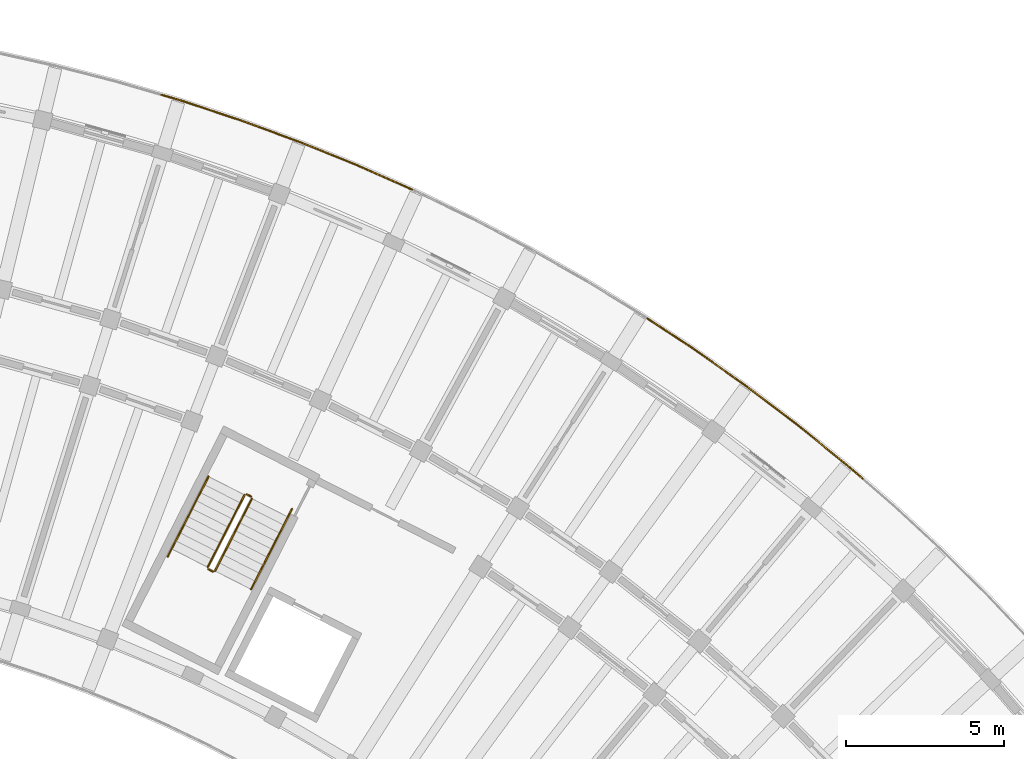
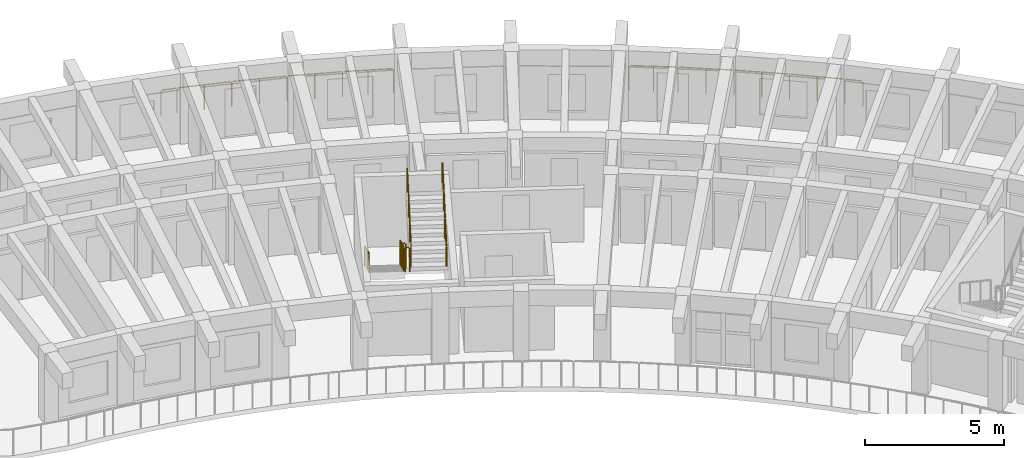
# One storey, part 80 of 81: 12 railings.
"""IFC4 building model written with IfcOpenShell, lengths in metres."""

from ifc_helpers import new_model, si_unit, direction, frame, origin, origin_2d, place, context, subcontext, project, spatial, circle, extrude, material, type_object, element, save


model = new_model("IFC4")

# Units and contexts
model_context = context("Model", 3, precision=1e-05, world=origin(), true_north=direction((0.0, 1.0)))
body_context = subcontext(model_context, "Body", "Model", "MODEL_VIEW")
ifc_project = project(units=[si_unit("LENGTHUNIT", "METRE"), si_unit("AREAUNIT", "SQUARE_METRE"), si_unit("VOLUMEUNIT", "CUBIC_METRE"), si_unit("PLANEANGLEUNIT", "RADIAN"), si_unit("MASSUNIT", "GRAM", prefix="KILO")], contexts=[model_context])

# Site, building, storey
site_placement = place(None, origin())
site = spatial("IfcSite", under=ifc_project, at=site_placement, CompositionType="ELEMENT")
building_placement = place(site_placement, origin())
building = spatial("IfcBuilding", under=site, at=building_placement, Name="Tanwirah Colonnade Gardens", CompositionType="ELEMENT")
storey_placement = place(building_placement, frame((0.0, 0.0, 8.840087890625)))
storey = spatial("IfcBuildingStorey", under=building, at=storey_placement, Name="L02", CompositionType="ELEMENT", Elevation=8.840087890625)

# Railings
ifc_material_1 = material(Name="Precast concrete C40/50", Category="concrete")
railing_type_1 = type_object("IfcRailingType", Name="BAL-EXT112", PredefinedType="BALUSTRADE", material=ifc_material_1)
railing_1_placement = place(storey_placement, frame((138.708984375, 118.89990234375, 0.0)))
element("IfcRailing", 1, at=railing_1_placement, inside=storey, type_object=railing_type_1, Name="Block B L02 Balcony Ribbon Balustrade 12", PredefinedType="BALUSTRADE", context=body_context, shape_type="SweptSolid", body=[
    extrude(circle(Radius=0.02392578125, at=origin_2d()), frame((0.030029296875, -0.0087890625, 1.09619140625), z_axis=(0.959445381797, -0.281894589072, 0.0), x_axis=(0.281894589072, 0.959445381797, 0.0)), (0.0, 0.0, 1.0), 0.521240234375),
    extrude(circle(Radius=0.02392578125, at=origin_2d()), frame((0.58984375, -0.17431640625, 1.09619140625), z_axis=(0.949537316482, -0.313654084317, 0.0), x_axis=(0.313654084317, 0.949537316482, 0.0)), (0.0, 0.0, 1.0), 1.958984375),
    extrude(circle(Radius=0.02392578125, at=origin_2d()), frame((2.5087890625, -0.809326171875, 1.09619140625), z_axis=(0.938723993457, -0.344669789956, 0.0), x_axis=(0.344669789956, 0.938723993457, 0.0)), (0.0, 0.0, 1.0), 1.958984375),
    extrude(circle(Radius=0.02392578125, at=origin_2d()), frame((4.40625, -1.507080078125, 1.09619140625), z_axis=(0.926784720453, -0.375592973757, 0.0), x_axis=(0.375592973757, 0.926784720453, 0.0)), (0.0, 0.0, 1.0), 1.958984375),
    extrude(circle(Radius=0.02392578125, at=origin_2d()), frame((6.279296875, -2.267333984375, 1.09619140625), z_axis=(0.913952853369, -0.405820381227, 0.0), x_axis=(0.405820381227, 0.913952853369, 0.0)), (0.0, 0.0, 1.0), 1.789306640625),
    extrude(circle(Radius=0.02099609375, at=origin_2d()), origin(), (0.0, 0.0, 1.0), 1.069091796875),
    extrude(circle(Radius=0.02099609375, at=origin_2d()), frame((0.56005859375, -0.16455078125, 0.0)), (0.0, 0.0, 1.0), 1.069091796875),
    extrude(circle(Radius=0.02099609375, at=origin_2d()), frame((1.519775390625, -0.4814453125, 0.0)), (0.0, 0.0, 1.0), 1.069091796875),
    extrude(circle(Radius=0.02099609375, at=origin_2d()), frame((2.4794921875, -0.798583984375, 0.0)), (0.0, 0.0, 1.0), 1.069091796875),
    extrude(circle(Radius=0.02099609375, at=origin_2d()), frame((3.42822265625, -1.14697265625, 0.0)), (0.0, 0.0, 1.0), 1.069091796875),
    extrude(circle(Radius=0.02099609375, at=origin_2d()), frame((4.377197265625, -1.495361328125, 0.0)), (0.0, 0.0, 1.0), 1.069091796875),
    extrude(circle(Radius=0.02099609375, at=origin_2d()), frame((5.31396484375, -1.875, 0.0)), (0.0, 0.0, 1.0), 1.069091796875),
    extrude(circle(Radius=0.02099609375, at=origin_2d()), frame((6.250732421875, -2.254638671875, 0.0)), (0.0, 0.0, 1.0), 1.069091796875),
    extrude(circle(Radius=0.02099609375, at=origin_2d()), frame((7.096923828125, -2.63037109375, 0.0)), (0.0, 0.0, 1.0), 1.069091796875),
    extrude(circle(Radius=0.02099609375, at=origin_2d()), frame((7.943115234375, -3.006103515625, 0.0)), (0.0, 0.0, 1.0), 1.069091796875),
])
railing_2_placement = place(storey_placement, frame((154.10107421875, 111.814208984375, 0.0)))
element("IfcRailing", 2, at=railing_2_placement, inside=storey, type_object=railing_type_1, Name="Block B L02 Balcony Ribbon Balustrade 14", PredefinedType="BALUSTRADE", context=body_context, shape_type="SweptSolid", body=[
    extrude(circle(Radius=0.02392578125, at=origin_2d()), frame((0.026123046875, -0.01708984375, 1.09619140625), z_axis=(0.834955335446, -0.550317715334, 0.0), x_axis=(0.550317715334, 0.834955335446, 0.0)), (0.0, 0.0, 1.0), 1.714599609375),
    extrude(circle(Radius=0.02392578125, at=origin_2d()), frame((1.509521484375, -0.99609375, 1.09619140625), z_axis=(0.816344803849, -0.577564854565, 0.0), x_axis=(0.577564854565, 0.816344803849, 0.0)), (0.0, 0.0, 1.0), 1.958740234375),
    extrude(circle(Radius=0.02392578125, at=origin_2d()), frame((3.158935546875, -2.164306640625, 1.09619140625), z_axis=(0.796887753746, -0.604127393792, 0.0), x_axis=(0.604127393792, 0.796887753746, 0.0)), (0.0, 0.0, 1.0), 1.958984375),
    extrude(circle(Radius=0.02392578125, at=origin_2d()), frame((4.76904296875, -3.386474609375, 1.09619140625), z_axis=(0.776549722569, -0.630055972417, 0.0), x_axis=(0.630055972417, 0.776549722569, 0.0)), (0.0, 0.0, 1.0), 1.958984375),
    extrude(circle(Radius=0.02392578125, at=origin_2d()), frame((6.33837890625, -4.660888671875, 1.09619140625), z_axis=(0.755371030703, -0.65529734165, 0.0), x_axis=(0.65529734165, 0.755371030703, 0.0)), (0.0, 0.0, 1.0), 0.59619140625),
    extrude(circle(Radius=0.02099609375, at=origin_2d()), origin(), (0.0, 0.0, 1.0), 1.069091796875),
    extrude(circle(Radius=0.02099609375, at=origin_2d()), frame((0.741943359375, -0.489013671875, 0.0)), (0.0, 0.0, 1.0), 1.069091796875),
    extrude(circle(Radius=0.02099609375, at=origin_2d()), frame((1.48388671875, -0.97802734375, 0.0)), (0.0, 0.0, 1.0), 1.069091796875),
    extrude(circle(Radius=0.02099609375, at=origin_2d()), frame((2.30908203125, -1.561767578125, 0.0)), (0.0, 0.0, 1.0), 1.069091796875),
    extrude(circle(Radius=0.02099609375, at=origin_2d()), frame((3.134033203125, -2.1455078125, 0.0)), (0.0, 0.0, 1.0), 1.069091796875),
    extrude(circle(Radius=0.02099609375, at=origin_2d()), frame((3.939453125, -2.756103515625, 0.0)), (0.0, 0.0, 1.0), 1.069091796875),
    extrude(circle(Radius=0.02099609375, at=origin_2d()), frame((4.744873046875, -3.36669921875, 0.0)), (0.0, 0.0, 1.0), 1.069091796875),
    extrude(circle(Radius=0.02099609375, at=origin_2d()), frame((5.52978515625, -4.00341796875, 0.0)), (0.0, 0.0, 1.0), 1.069091796875),
    extrude(circle(Radius=0.02099609375, at=origin_2d()), frame((6.314697265625, -4.640380859375, 0.0)), (0.0, 0.0, 1.0), 1.069091796875),
    extrude(circle(Radius=0.02099609375, at=origin_2d()), frame((6.812255859375, -5.072021484375, 0.0)), (0.0, 0.0, 1.0), 1.069091796875),
])
ifc_material_2 = material(Name="Powder-coated galvanized steel", Category="steel")
railing_type_2 = type_object("IfcRailingType", Name="GRD-ST110", PredefinedType="GUARDRAIL", material=ifc_material_2)
railing_3_placement = place(storey_placement, frame((141.344970703125, 106.230712890625, 0.16796875)))
element("IfcRailing", 3, at=railing_3_placement, inside=storey, type_object=railing_type_2, Name="L02 ST-B2 stair guard 1", PredefinedType="GUARDRAIL", context=body_context, shape_type="SweptSolid", body=[
    extrude(circle(Radius=0.02392578125, at=origin_2d()), frame((-0.01220703125, -0.02392578125, 1.092041015625), z_axis=(-0.3911222872, -0.767567239095, 0.507803003067), x_axis=(0.890993730975, -0.45401560696, 0.0)), (0.0, 0.0, 1.0), 2.9150390625),
    extrude(circle(Radius=0.02099609375, at=origin_2d()), origin(), (0.0, 0.0, 1.0), 1.049072265625),
    extrude(circle(Radius=0.02099609375, at=origin_2d()), frame((-0.38818359375, -0.76171875, 0.50390625)), (0.0, 0.0, 1.0), 1.049072265625),
    extrude(circle(Radius=0.02099609375, at=origin_2d()), frame((-0.7763671875, -1.523681640625, 1.008056640625)), (0.0, 0.0, 1.0), 1.049072265625),
    extrude(circle(Radius=0.02099609375, at=origin_2d()), frame((-1.16455078125, -2.285400390625, 1.511962890625)), (0.0, 0.0, 1.0), 1.049072265625),
])
railing_4_placement = place(storey_placement, frame((140.202392578125, 103.8779296875, 1.679931640625)))
element("IfcRailing", 4, at=railing_4_placement, inside=storey, type_object=railing_type_2, Name="L02 ST-B2 stair guard 2", PredefinedType="GUARDRAIL", context=body_context, shape_type="SweptSolid", body=[
    extrude(circle(Radius=0.02392578125, at=origin_2d()), frame((0.02783203125, -0.01416015625, 1.076171875), z_axis=(0.891353773095, -0.453308340084, 0.0), x_axis=(0.453308340084, 0.891353773095, 0.0)), (0.0, 0.0, 1.0), 0.097412109375),
    extrude(circle(Radius=0.02099609375, at=origin_2d()), origin(), (0.0, 0.0, 1.0), 1.049072265625),
    extrude(circle(Radius=0.02099609375, at=origin_2d()), frame((0.142578125, -0.072509765625, 0.0)), (0.0, 0.0, 1.0), 1.049072265625),
])
railing_5_placement = place(storey_placement, frame((140.412109375, 103.8271484375, 1.847900390625)))
element("IfcRailing", 5, at=railing_5_placement, inside=storey, type_object=railing_type_2, Name="L02 ST-B2 stair guard 3", PredefinedType="GUARDRAIL", context=body_context, shape_type="SweptSolid", body=[
    extrude(circle(Radius=0.02392578125, at=origin_2d()), frame((0.01220703125, 0.02392578125, 1.092041015625), z_axis=(0.3911222872, 0.767567239095, 0.507803003067), x_axis=(-0.890993730975, 0.45401560696, 0.0)), (0.0, 0.0, 1.0), 2.9150390625),
    extrude(circle(Radius=0.02099609375, at=origin_2d()), origin(), (0.0, 0.0, 1.0), 1.049072265625),
    extrude(circle(Radius=0.02099609375, at=origin_2d()), frame((0.38818359375, 0.76171875, 0.50390625)), (0.0, 0.0, 1.0), 1.049072265625),
    extrude(circle(Radius=0.02099609375, at=origin_2d()), frame((0.7763671875, 1.523681640625, 1.008056640625)), (0.0, 0.0, 1.0), 1.049072265625),
    extrude(circle(Radius=0.02099609375, at=origin_2d()), frame((1.16455078125, 2.285400390625, 1.511962890625)), (0.0, 0.0, 1.0), 1.049072265625),
])
railing_6_placement = place(storey_placement, frame((141.412109375, 106.25244140625, 0.0)))
element("IfcRailing", 6, at=railing_6_placement, inside=storey, type_object=railing_type_2, Name="L02 ST-B2 stair guard 4", PredefinedType="GUARDRAIL", context=body_context, shape_type="SweptSolid", body=[
    extrude(circle(Radius=0.02392578125, at=origin_2d()), frame((0.02783203125, -0.01416015625, 1.076171875), z_axis=(0.891353773095, -0.453308340084, 0.0), x_axis=(0.453308340084, 0.891353773095, 0.0)), (0.0, 0.0, 1.0), 0.097412109375),
    extrude(circle(Radius=0.02099609375, at=origin_2d()), origin(), (0.0, 0.0, 1.0), 1.049072265625),
    extrude(circle(Radius=0.02099609375, at=origin_2d()), frame((0.142578125, -0.072509765625, 0.0)), (0.0, 0.0, 1.0), 1.049072265625),
])
ifc_material_3 = material(Name="Brushed bronze stainless steel", Category="steel")
railing_type_3 = type_object("IfcRailingType", Name="HR-ST090", PredefinedType="HANDRAIL", material=ifc_material_3)
railing_7_placement = place(storey_placement, frame((140.204345703125, 106.811767578125, 0.16796875)))
element("IfcRailing", 7, at=railing_7_placement, inside=storey, type_object=railing_type_3, Name="L02 ST-B2 stair handrail 1", PredefinedType="HANDRAIL", context=body_context, shape_type="SweptSolid", body=[
    extrude(circle(Radius=0.02392578125, at=origin_2d()), frame((-0.01220703125, -0.02392578125, 0.891845703125), z_axis=(-0.38993033558, -0.765508761867, 0.511811165275), x_axis=(0.891061070925, -0.453883429839, 0.0)), (0.0, 0.0, 1.0), 1.043212890625),
    extrude(circle(Radius=0.02099609375, at=origin_2d()), origin(), (0.0, 0.0, 1.0), 0.848876953125),
    extrude(circle(Radius=0.02099609375, at=origin_2d()), frame((-0.43115234375, -0.846435546875, 0.56591796875)), (0.0, 0.0, 1.0), 0.848876953125),
])
railing_8_placement = place(storey_placement, frame((139.773193359375, 105.96533203125, 0.73388671875)))
element("IfcRailing", 8, at=railing_8_placement, inside=storey, type_object=railing_type_3, Name="L02 ST-B2 stair handrail 2", PredefinedType="HANDRAIL", context=body_context, shape_type="SweptSolid", body=[
    extrude(circle(Radius=0.02392578125, at=origin_2d()), frame((-0.01220703125, -0.02392578125, 0.891845703125), z_axis=(-0.390117538533, -0.765442844423, 0.51176709356), x_axis=(0.890957114254, -0.454087459154, 0.0)), (0.0, 0.0, 1.0), 1.043212890625),
    extrude(circle(Radius=0.02099609375, at=origin_2d()), origin(), (0.0, 0.0, 1.0), 0.848876953125),
    extrude(circle(Radius=0.02099609375, at=origin_2d()), frame((-0.431396484375, -0.846435546875, 0.56591796875)), (0.0, 0.0, 1.0), 0.848876953125),
])
railing_9_placement = place(storey_placement, frame((139.341796875, 105.118896484375, 1.2998046875)))
element("IfcRailing", 9, at=railing_9_placement, inside=storey, type_object=railing_type_3, Name="L02 ST-B2 stair handrail 3", PredefinedType="HANDRAIL", context=body_context, shape_type="SweptSolid", body=[
    extrude(circle(Radius=0.02392578125, at=origin_2d()), frame((-0.01220703125, -0.02392578125, 0.891845703125), z_axis=(-0.389886268615, -0.765422249879, 0.511974097915), x_axis=(0.891061070925, -0.453883429839, 0.0)), (0.0, 0.0, 1.0), 1.043212890625),
    extrude(circle(Radius=0.02099609375, at=origin_2d()), origin(), (0.0, 0.0, 1.0), 0.848876953125),
    extrude(circle(Radius=0.02099609375, at=origin_2d()), frame((-0.43115234375, -0.846435546875, 0.566162109375)), (0.0, 0.0, 1.0), 0.848876953125),
])
railing_10_placement = place(storey_placement, frame((141.552490234375, 103.24609375, 1.847900390625)))
element("IfcRailing", 10, at=railing_10_placement, inside=storey, type_object=railing_type_3, Name="L02 ST-B2 stair handrail 4", PredefinedType="HANDRAIL", context=body_context, shape_type="SweptSolid", body=[
    extrude(circle(Radius=0.02392578125, at=origin_2d()), frame((0.01220703125, 0.02392578125, 0.891845703125), z_axis=(0.390117538533, 0.765442844423, 0.51176709356), x_axis=(-0.890957114254, 0.454087459154, 0.0)), (0.0, 0.0, 1.0), 1.043212890625),
    extrude(circle(Radius=0.02099609375, at=origin_2d()), origin(), (0.0, 0.0, 1.0), 0.848876953125),
    extrude(circle(Radius=0.02099609375, at=origin_2d()), frame((0.431396484375, 0.846435546875, 0.56591796875)), (0.0, 0.0, 1.0), 0.848876953125),
])
railing_11_placement = place(storey_placement, frame((141.98388671875, 104.092529296875, 2.413818359375)))
element("IfcRailing", 11, at=railing_11_placement, inside=storey, type_object=railing_type_3, Name="L02 ST-B2 stair handrail 5", PredefinedType="HANDRAIL", context=body_context, shape_type="SweptSolid", body=[
    extrude(circle(Radius=0.02392578125, at=origin_2d()), frame((0.01220703125, 0.02392578125, 0.891845703125), z_axis=(0.390073458003, 0.765356354779, 0.511930022133), x_axis=(-0.890957114254, 0.454087459154, 0.0)), (0.0, 0.0, 1.0), 1.04345703125),
    extrude(circle(Radius=0.02099609375, at=origin_2d()), origin(), (0.0, 0.0, 1.0), 0.848876953125),
    extrude(circle(Radius=0.02099609375, at=origin_2d()), frame((0.431396484375, 0.846435546875, 0.566162109375)), (0.0, 0.0, 1.0), 0.848876953125),
])
railing_12_placement = place(storey_placement, frame((142.415283203125, 104.93896484375, 2.97998046875)))
element("IfcRailing", 12, at=railing_12_placement, inside=storey, type_object=railing_type_3, Name="L02 ST-B2 stair handrail 6", PredefinedType="HANDRAIL", context=body_context, shape_type="SweptSolid", body=[
    extrude(circle(Radius=0.02392578125, at=origin_2d()), frame((0.01220703125, 0.02392578125, 0.891845703125), z_axis=(0.38993033558, 0.765508761867, 0.511811165275), x_axis=(-0.891061070925, 0.453883429839, 0.0)), (0.0, 0.0, 1.0), 1.043212890625),
    extrude(circle(Radius=0.02099609375, at=origin_2d()), origin(), (0.0, 0.0, 1.0), 0.848876953125),
    extrude(circle(Radius=0.02099609375, at=origin_2d()), frame((0.43115234375, 0.846435546875, 0.56591796875)), (0.0, 0.0, 1.0), 0.848876953125),
])

save(model, "model.ifc")
